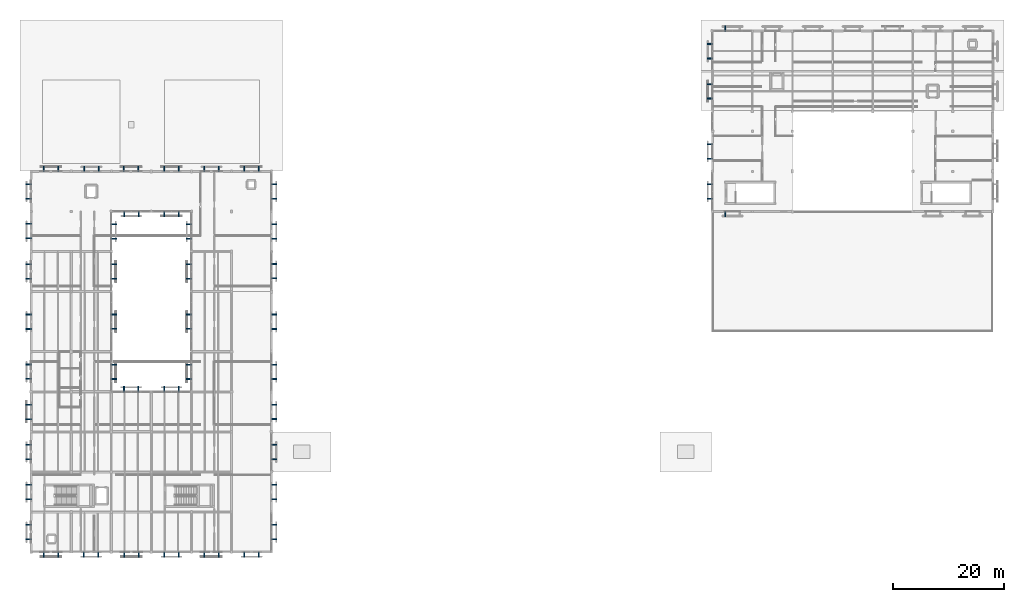
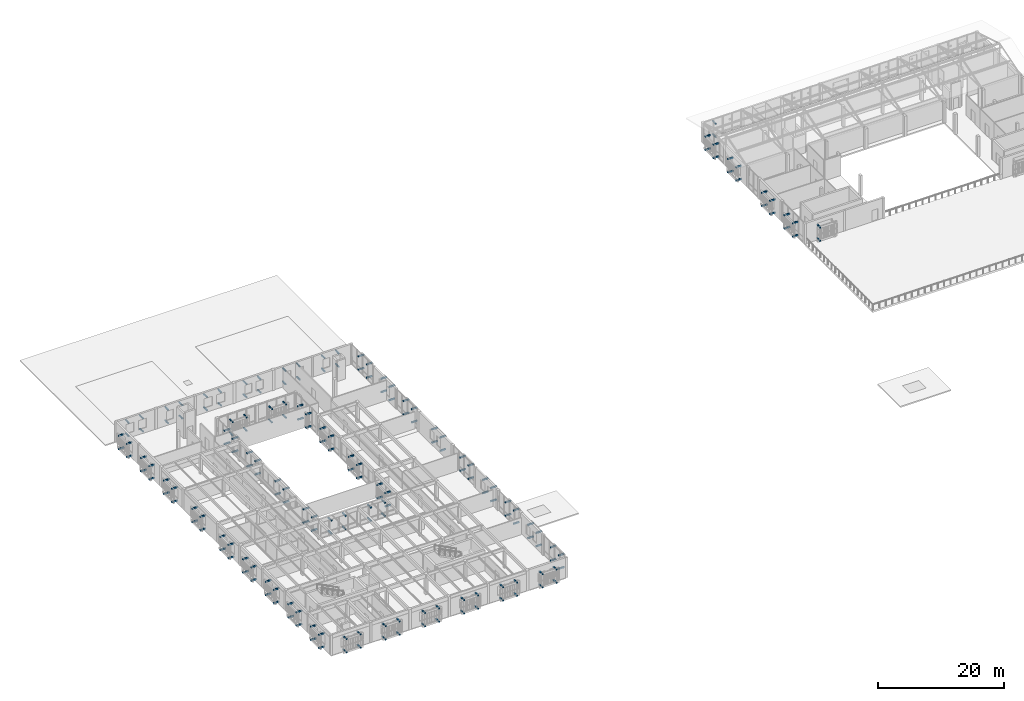
# One storey, part 54 of 61: 188 discrete accessories.
"""IFC4 building model written with IfcOpenShell, lengths in metres."""

from ifc_helpers import new_model, si_unit, direction, frame, origin, origin_2d, place, context, subcontext, project, spatial, rectangle, extrude, material, type_object, element, save


model = new_model("IFC4")

# Units and contexts
model_context = context("Model", 3, precision=1e-05, world=origin(), true_north=direction((0.0, 1.0)))
body_context = subcontext(model_context, "Body", "Model", "MODEL_VIEW")
ifc_project = project(units=[si_unit("LENGTHUNIT", "METRE"), si_unit("AREAUNIT", "SQUARE_METRE"), si_unit("VOLUMEUNIT", "CUBIC_METRE"), si_unit("PLANEANGLEUNIT", "RADIAN"), si_unit("MASSUNIT", "GRAM", prefix="KILO")], contexts=[model_context])

# Site, building, storey
site_placement = place(None, origin())
site = spatial("IfcSite", under=ifc_project, at=site_placement, CompositionType="ELEMENT")
building_placement = place(site_placement, origin())
building = spatial("IfcBuilding", under=site, at=building_placement, Name="Mazaris Harbour Polytechnic", CompositionType="ELEMENT")
storey_placement = place(building_placement, frame((0.0, 0.0, 18.0)))
storey = spatial("IfcBuildingStorey", under=building, at=storey_placement, Name="L04", CompositionType="ELEMENT", Elevation=18.0)

# Discrete accessories
ifc_material = material(Name="Stainless Steel S355", Category="steel")
discrete_accessory_type = type_object("IfcDiscreteAccessoryType", Name="Stainless Screen Outrigger Bracket 200x1020x200", PredefinedType="BRACKET", material=ifc_material)
for number, where, z_axis, x_axis, name in (
    (1, (4.8759765625, 6.760009765625, 0.16015625), (0.0, 0.0, 1.0), (-1.0, 0.0, 0.0), "Screen Outrigger Bracket 1173"),
    (2, (4.8759765625, 6.760009765625, 2.740234375), (0.0, 0.0, 1.0), (-1.0, 0.0, 0.0), "Screen Outrigger Bracket 1174"),
    (3, (2.283935546875, 6.760009765625, 0.16015625), (0.0, 0.0, 1.0), (-1.0, 0.0, 0.0), "Screen Outrigger Bracket 1175"),
    (4, (2.283935546875, 6.760009765625, 2.740234375), (0.0, 0.0, 1.0), (-1.0, 0.0, 0.0), "Screen Outrigger Bracket 1176"),
    (5, (12.075927734375, 6.760009765625, 0.16015625), (0.0, 0.0, 1.0), (-1.0, 0.0, 0.0), "Screen Outrigger Bracket 1177"),
    (6, (12.075927734375, 6.760009765625, 2.740234375), (0.0, 0.0, 1.0), (-1.0, 0.0, 0.0), "Screen Outrigger Bracket 1178"),
    (7, (9.48388671875, 6.760009765625, 0.16015625), (0.0, 0.0, 1.0), (-1.0, 0.0, 0.0), "Screen Outrigger Bracket 1179"),
    (8, (9.48388671875, 6.760009765625, 2.740234375), (0.0, 0.0, 1.0), (-1.0, 0.0, 0.0), "Screen Outrigger Bracket 1180"),
    (9, (19.321044921875, 6.760009765625, 0.16015625), (0.0, 0.0, 1.0), (-1.0, 0.0, 0.0), "Screen Outrigger Bracket 1181"),
    (10, (19.321044921875, 6.760009765625, 2.740234375), (0.0, 0.0, 1.0), (-1.0, 0.0, 0.0), "Screen Outrigger Bracket 1182"),
    (11, (16.72900390625, 6.760009765625, 0.16015625), (0.0, 0.0, 1.0), (-1.0, 0.0, 0.0), "Screen Outrigger Bracket 1183"),
    (12, (16.72900390625, 6.760009765625, 2.740234375), (0.0, 0.0, 1.0), (-1.0, 0.0, 0.0), "Screen Outrigger Bracket 1184"),
    (13, (26.506103515625, 6.760009765625, 0.16015625), (0.0, 0.0, 1.0), (-1.0, 0.0, 0.0), "Screen Outrigger Bracket 1185"),
    (14, (26.506103515625, 6.760009765625, 2.740234375), (0.0, 0.0, 1.0), (-1.0, 0.0, 0.0), "Screen Outrigger Bracket 1186"),
    (15, (23.9140625, 6.760009765625, 0.16015625), (0.0, 0.0, 1.0), (-1.0, 0.0, 0.0), "Screen Outrigger Bracket 1187"),
    (16, (23.9140625, 6.760009765625, 2.740234375), (0.0, 0.0, 1.0), (-1.0, 0.0, 0.0), "Screen Outrigger Bracket 1188"),
    (17, (33.676025390625, 6.760009765625, 0.16015625), (0.0, 0.0, 1.0), (-1.0, 0.0, 0.0), "Screen Outrigger Bracket 1189"),
    (18, (33.676025390625, 6.760009765625, 2.740234375), (0.0, 0.0, 1.0), (-1.0, 0.0, 0.0), "Screen Outrigger Bracket 1190"),
    (19, (31.083984375, 6.760009765625, 0.16015625), (0.0, 0.0, 1.0), (-1.0, 0.0, 0.0), "Screen Outrigger Bracket 1191"),
    (20, (31.083984375, 6.760009765625, 2.740234375), (0.0, 0.0, 1.0), (-1.0, 0.0, 0.0), "Screen Outrigger Bracket 1192"),
    (21, (40.910888671875, 6.760009765625, 0.16015625), (0.0, 0.0, 1.0), (-1.0, 0.0, 0.0), "Screen Outrigger Bracket 1193"),
    (22, (40.910888671875, 6.760009765625, 2.740234375), (0.0, 0.0, 1.0), (-1.0, 0.0, 0.0), "Screen Outrigger Bracket 1194"),
    (23, (38.319091796875, 6.760009765625, 0.16015625), (0.0, 0.0, 1.0), (-1.0, 0.0, 0.0), "Screen Outrigger Bracket 1195"),
    (24, (38.319091796875, 6.760009765625, 2.740234375), (0.0, 0.0, 1.0), (-1.0, 0.0, 0.0), "Screen Outrigger Bracket 1196"),
    (25, (2.283935546875, 76.0400390625, 0.16015625), (0.0, 0.0, 1.0), (1.0, 0.0, 0.0), "Screen Outrigger Bracket 1197"),
    (26, (2.283935546875, 76.0400390625, 2.740234375), (0.0, 0.0, 1.0), (1.0, 0.0, 0.0), "Screen Outrigger Bracket 1198"),
    (27, (4.8759765625, 76.0400390625, 0.16015625), (0.0, 0.0, 1.0), (1.0, 0.0, 0.0), "Screen Outrigger Bracket 1199"),
    (28, (4.8759765625, 76.0400390625, 2.740234375), (0.0, 0.0, 1.0), (1.0, 0.0, 0.0), "Screen Outrigger Bracket 1200"),
    (29, (9.529052734375, 76.0400390625, 0.16015625), (0.0, 0.0, 1.0), (1.0, 0.0, 0.0), "Screen Outrigger Bracket 1201"),
    (30, (9.529052734375, 76.0400390625, 2.740234375), (0.0, 0.0, 1.0), (1.0, 0.0, 0.0), "Screen Outrigger Bracket 1202"),
    (31, (12.12109375, 76.0400390625, 0.16015625), (0.0, 0.0, 1.0), (1.0, 0.0, 0.0), "Screen Outrigger Bracket 1203"),
    (32, (12.12109375, 76.0400390625, 2.740234375), (0.0, 0.0, 1.0), (1.0, 0.0, 0.0), "Screen Outrigger Bracket 1204"),
    (33, (16.6689453125, 76.0400390625, 0.16015625), (0.0, 0.0, 1.0), (1.0, 0.0, 0.0), "Screen Outrigger Bracket 1205"),
    (34, (16.6689453125, 76.0400390625, 2.740234375), (0.0, 0.0, 1.0), (1.0, 0.0, 0.0), "Screen Outrigger Bracket 1206"),
    (35, (19.260986328125, 76.0400390625, 0.16015625), (0.0, 0.0, 1.0), (1.0, 0.0, 0.0), "Screen Outrigger Bracket 1207"),
    (36, (19.260986328125, 76.0400390625, 2.740234375), (0.0, 0.0, 1.0), (1.0, 0.0, 0.0), "Screen Outrigger Bracket 1208"),
    (37, (23.928955078125, 76.0400390625, 0.16015625), (0.0, 0.0, 1.0), (1.0, 0.0, 0.0), "Screen Outrigger Bracket 1209"),
    (38, (23.928955078125, 76.0400390625, 2.740234375), (0.0, 0.0, 1.0), (1.0, 0.0, 0.0), "Screen Outrigger Bracket 1210"),
    (39, (26.52099609375, 76.0400390625, 0.16015625), (0.0, 0.0, 1.0), (1.0, 0.0, 0.0), "Screen Outrigger Bracket 1211"),
    (40, (26.52099609375, 76.0400390625, 2.740234375), (0.0, 0.0, 1.0), (1.0, 0.0, 0.0), "Screen Outrigger Bracket 1212"),
    (41, (31.118896484375, 76.0400390625, 0.16015625), (0.0, 0.0, 1.0), (1.0, 0.0, 0.0), "Screen Outrigger Bracket 1213"),
    (42, (31.118896484375, 76.0400390625, 2.740234375), (0.0, 0.0, 1.0), (1.0, 0.0, 0.0), "Screen Outrigger Bracket 1214"),
    (43, (33.7109375, 76.0400390625, 0.16015625), (0.0, 0.0, 1.0), (1.0, 0.0, 0.0), "Screen Outrigger Bracket 1215"),
    (44, (33.7109375, 76.0400390625, 2.740234375), (0.0, 0.0, 1.0), (1.0, 0.0, 0.0), "Screen Outrigger Bracket 1216"),
    (45, (38.283935546875, 76.0400390625, 0.16015625), (0.0, 0.0, 1.0), (1.0, 0.0, 0.0), "Screen Outrigger Bracket 1217"),
    (46, (38.283935546875, 76.0400390625, 2.740234375), (0.0, 0.0, 1.0), (1.0, 0.0, 0.0), "Screen Outrigger Bracket 1218"),
    (47, (40.8759765625, 76.0400390625, 0.16015625), (0.0, 0.0, 1.0), (1.0, 0.0, 0.0), "Screen Outrigger Bracket 1219"),
    (48, (40.8759765625, 76.0400390625, 2.740234375), (0.0, 0.0, 1.0), (1.0, 0.0, 0.0), "Screen Outrigger Bracket 1220"),
    (49, (-0.43994140625, 9.493896484375, 0.16015625), (0.0, 0.0, 1.0), (0.0, 1.0, 0.0), "Screen Outrigger Bracket 1221"),
    (50, (-0.43994140625, 9.493896484375, 2.740234375), (0.0, 0.0, 1.0), (0.0, 1.0, 0.0), "Screen Outrigger Bracket 1222"),
    (51, (-0.43994140625, 12.0859375, 0.16015625), (0.0, 0.0, 1.0), (0.0, 1.0, 0.0), "Screen Outrigger Bracket 1223"),
    (52, (-0.43994140625, 12.0859375, 2.740234375), (0.0, 0.0, 1.0), (0.0, 1.0, 0.0), "Screen Outrigger Bracket 1224"),
    (53, (-0.43994140625, 16.694091796875, 0.16015625), (0.0, 0.0, 1.0), (0.0, 1.0, 0.0), "Screen Outrigger Bracket 1225"),
    (54, (-0.43994140625, 16.694091796875, 2.740234375), (0.0, 0.0, 1.0), (0.0, 1.0, 0.0), "Screen Outrigger Bracket 1226"),
    (55, (-0.43994140625, 19.285888671875, 0.16015625), (0.0, 0.0, 1.0), (0.0, 1.0, 0.0), "Screen Outrigger Bracket 1227"),
    (56, (-0.43994140625, 19.285888671875, 2.740234375), (0.0, 0.0, 1.0), (0.0, 1.0, 0.0), "Screen Outrigger Bracket 1228"),
    (57, (-0.43994140625, 23.89404296875, 0.16015625), (0.0, 0.0, 1.0), (0.0, 1.0, 0.0), "Screen Outrigger Bracket 1229"),
    (58, (-0.43994140625, 23.89404296875, 2.740234375), (0.0, 0.0, 1.0), (0.0, 1.0, 0.0), "Screen Outrigger Bracket 1230"),
    (59, (-0.43994140625, 26.486083984375, 0.16015625), (0.0, 0.0, 1.0), (0.0, 1.0, 0.0), "Screen Outrigger Bracket 1231"),
    (60, (-0.43994140625, 26.486083984375, 2.740234375), (0.0, 0.0, 1.0), (0.0, 1.0, 0.0), "Screen Outrigger Bracket 1232"),
    (61, (-0.43994140625, 31.093994140625, 0.16015625), (0.0, 0.0, 1.0), (0.0, 1.0, 0.0), "Screen Outrigger Bracket 1233"),
    (62, (-0.43994140625, 31.093994140625, 2.740234375), (0.0, 0.0, 1.0), (0.0, 1.0, 0.0), "Screen Outrigger Bracket 1234"),
    (63, (-0.43994140625, 33.68603515625, 0.16015625), (0.0, 0.0, 1.0), (0.0, 1.0, 0.0), "Screen Outrigger Bracket 1235"),
    (64, (-0.43994140625, 33.68603515625, 2.740234375), (0.0, 0.0, 1.0), (0.0, 1.0, 0.0), "Screen Outrigger Bracket 1236"),
    (65, (-0.43994140625, 38.30908203125, 0.16015625), (0.0, 0.0, 1.0), (0.0, 1.0, 0.0), "Screen Outrigger Bracket 1237"),
    (66, (-0.43994140625, 38.30908203125, 2.740234375), (0.0, 0.0, 1.0), (0.0, 1.0, 0.0), "Screen Outrigger Bracket 1238"),
    (67, (-0.43994140625, 40.90087890625, 0.16015625), (0.0, 0.0, 1.0), (0.0, 1.0, 0.0), "Screen Outrigger Bracket 1239"),
    (68, (-0.43994140625, 40.90087890625, 2.740234375), (0.0, 0.0, 1.0), (0.0, 1.0, 0.0), "Screen Outrigger Bracket 1240"),
    (69, (-0.43994140625, 47.2890625, 0.16015625), (0.0, 0.0, 1.0), (0.0, 1.0, 0.0), "Screen Outrigger Bracket 1241"),
    (70, (-0.43994140625, 47.2890625, 2.740234375), (0.0, 0.0, 1.0), (0.0, 1.0, 0.0), "Screen Outrigger Bracket 1242"),
    (71, (-0.43994140625, 49.881103515625, 0.16015625), (0.0, 0.0, 1.0), (0.0, 1.0, 0.0), "Screen Outrigger Bracket 1243"),
    (72, (-0.43994140625, 49.881103515625, 2.740234375), (0.0, 0.0, 1.0), (0.0, 1.0, 0.0), "Screen Outrigger Bracket 1244"),
    (73, (-0.43994140625, 56.2890625, 0.16015625), (0.0, 0.0, 1.0), (0.0, 1.0, 0.0), "Screen Outrigger Bracket 1245"),
    (74, (-0.43994140625, 56.2890625, 2.740234375), (0.0, 0.0, 1.0), (0.0, 1.0, 0.0), "Screen Outrigger Bracket 1246"),
    (75, (-0.43994140625, 58.881103515625, 0.16015625), (0.0, 0.0, 1.0), (0.0, 1.0, 0.0), "Screen Outrigger Bracket 1247"),
    (76, (-0.43994140625, 58.881103515625, 2.740234375), (0.0, 0.0, 1.0), (0.0, 1.0, 0.0), "Screen Outrigger Bracket 1248"),
    (77, (-0.43994140625, 63.569091796875, 0.16015625), (0.0, 0.0, 1.0), (0.0, 1.0, 0.0), "Screen Outrigger Bracket 1249"),
    (78, (-0.43994140625, 63.569091796875, 2.740234375), (0.0, 0.0, 1.0), (0.0, 1.0, 0.0), "Screen Outrigger Bracket 1250"),
    (79, (-0.43994140625, 66.160888671875, 0.16015625), (0.0, 0.0, 1.0), (0.0, 1.0, 0.0), "Screen Outrigger Bracket 1251"),
    (80, (-0.43994140625, 66.160888671875, 2.740234375), (0.0, 0.0, 1.0), (0.0, 1.0, 0.0), "Screen Outrigger Bracket 1252"),
    (81, (-0.43994140625, 70.694091796875, 0.16015625), (0.0, 0.0, 1.0), (0.0, 1.0, 0.0), "Screen Outrigger Bracket 1253"),
    (82, (-0.43994140625, 70.694091796875, 2.740234375), (0.0, 0.0, 1.0), (0.0, 1.0, 0.0), "Screen Outrigger Bracket 1254"),
    (83, (-0.43994140625, 73.285888671875, 0.16015625), (0.0, 0.0, 1.0), (0.0, 1.0, 0.0), "Screen Outrigger Bracket 1255"),
    (84, (-0.43994140625, 73.285888671875, 2.740234375), (0.0, 0.0, 1.0), (0.0, 1.0, 0.0), "Screen Outrigger Bracket 1256"),
    (85, (43.639892578125, 12.0859375, 0.16015625), (0.0, 0.0, 1.0), (0.0, -1.0, 0.0), "Screen Outrigger Bracket 1257"),
    (86, (43.639892578125, 12.0859375, 2.740234375), (0.0, 0.0, 1.0), (0.0, -1.0, 0.0), "Screen Outrigger Bracket 1258"),
    (87, (43.639892578125, 9.493896484375, 0.16015625), (0.0, 0.0, 1.0), (0.0, -1.0, 0.0), "Screen Outrigger Bracket 1259"),
    (88, (43.639892578125, 9.493896484375, 2.740234375), (0.0, 0.0, 1.0), (0.0, -1.0, 0.0), "Screen Outrigger Bracket 1260"),
    (89, (43.639892578125, 19.285888671875, 0.16015625), (0.0, 0.0, 1.0), (0.0, -1.0, 0.0), "Screen Outrigger Bracket 1261"),
    (90, (43.639892578125, 19.285888671875, 2.740234375), (0.0, 0.0, 1.0), (0.0, -1.0, 0.0), "Screen Outrigger Bracket 1262"),
    (91, (43.639892578125, 16.694091796875, 0.16015625), (0.0, 0.0, 1.0), (0.0, -1.0, 0.0), "Screen Outrigger Bracket 1263"),
    (92, (43.639892578125, 16.694091796875, 2.740234375), (0.0, 0.0, 1.0), (0.0, -1.0, 0.0), "Screen Outrigger Bracket 1264"),
    (93, (43.639892578125, 26.486083984375, 0.16015625), (0.0, 0.0, 1.0), (0.0, -1.0, 0.0), "Screen Outrigger Bracket 1265"),
    (94, (43.639892578125, 26.486083984375, 2.740234375), (0.0, 0.0, 1.0), (0.0, -1.0, 0.0), "Screen Outrigger Bracket 1266"),
    (95, (43.639892578125, 23.89404296875, 0.16015625), (0.0, 0.0, 1.0), (0.0, -1.0, 0.0), "Screen Outrigger Bracket 1267"),
    (96, (43.639892578125, 23.89404296875, 2.740234375), (0.0, 0.0, 1.0), (0.0, -1.0, 0.0), "Screen Outrigger Bracket 1268"),
    (97, (43.639892578125, 33.700927734375, 0.16015625), (0.0, 0.0, 1.0), (0.0, -1.0, 0.0), "Screen Outrigger Bracket 1269"),
    (98, (43.639892578125, 33.700927734375, 2.740234375), (0.0, 0.0, 1.0), (0.0, -1.0, 0.0), "Screen Outrigger Bracket 1270"),
    (99, (43.639892578125, 31.10888671875, 0.16015625), (0.0, 0.0, 1.0), (0.0, -1.0, 0.0), "Screen Outrigger Bracket 1271"),
    (100, (43.639892578125, 31.10888671875, 2.740234375), (0.0, 0.0, 1.0), (0.0, -1.0, 0.0), "Screen Outrigger Bracket 1272"),
    (101, (43.639892578125, 40.881103515625, 0.16015625), (0.0, 0.0, 1.0), (0.0, -1.0, 0.0), "Screen Outrigger Bracket 1273"),
    (102, (43.639892578125, 40.881103515625, 2.740234375), (0.0, 0.0, 1.0), (0.0, -1.0, 0.0), "Screen Outrigger Bracket 1274"),
    (103, (43.639892578125, 38.2890625, 0.16015625), (0.0, 0.0, 1.0), (0.0, -1.0, 0.0), "Screen Outrigger Bracket 1275"),
    (104, (43.639892578125, 38.2890625, 2.740234375), (0.0, 0.0, 1.0), (0.0, -1.0, 0.0), "Screen Outrigger Bracket 1276"),
    (105, (43.639892578125, 49.881103515625, 0.16015625), (0.0, 0.0, 1.0), (0.0, -1.0, 0.0), "Screen Outrigger Bracket 1277"),
    (106, (43.639892578125, 49.881103515625, 2.740234375), (0.0, 0.0, 1.0), (0.0, -1.0, 0.0), "Screen Outrigger Bracket 1278"),
    (107, (43.639892578125, 47.2890625, 0.16015625), (0.0, 0.0, 1.0), (0.0, -1.0, 0.0), "Screen Outrigger Bracket 1279"),
    (108, (43.639892578125, 47.2890625, 2.740234375), (0.0, 0.0, 1.0), (0.0, -1.0, 0.0), "Screen Outrigger Bracket 1280"),
    (109, (43.639892578125, 58.9609375, 0.16015625), (0.0, 0.0, 1.0), (0.0, -1.0, 0.0), "Screen Outrigger Bracket 1281"),
    (110, (43.639892578125, 58.9609375, 2.740234375), (0.0, 0.0, 1.0), (0.0, -1.0, 0.0), "Screen Outrigger Bracket 1282"),
    (111, (43.639892578125, 56.368896484375, 0.16015625), (0.0, 0.0, 1.0), (0.0, -1.0, 0.0), "Screen Outrigger Bracket 1283"),
    (112, (43.639892578125, 56.368896484375, 2.740234375), (0.0, 0.0, 1.0), (0.0, -1.0, 0.0), "Screen Outrigger Bracket 1284"),
    (113, (43.639892578125, 66.0859375, 0.16015625), (0.0, 0.0, 1.0), (0.0, -1.0, 0.0), "Screen Outrigger Bracket 1285"),
    (114, (43.639892578125, 66.0859375, 2.740234375), (0.0, 0.0, 1.0), (0.0, -1.0, 0.0), "Screen Outrigger Bracket 1286"),
    (115, (43.639892578125, 63.493896484375, 0.16015625), (0.0, 0.0, 1.0), (0.0, -1.0, 0.0), "Screen Outrigger Bracket 1287"),
    (116, (43.639892578125, 63.493896484375, 2.740234375), (0.0, 0.0, 1.0), (0.0, -1.0, 0.0), "Screen Outrigger Bracket 1288"),
    (117, (43.639892578125, 73.285888671875, 0.16015625), (0.0, 0.0, 1.0), (0.0, -1.0, 0.0), "Screen Outrigger Bracket 1289"),
    (118, (43.639892578125, 73.285888671875, 2.740234375), (0.0, 0.0, 1.0), (0.0, -1.0, 0.0), "Screen Outrigger Bracket 1290"),
    (119, (43.639892578125, 70.694091796875, 0.16015625), (0.0, 0.0, 1.0), (0.0, -1.0, 0.0), "Screen Outrigger Bracket 1291"),
    (120, (43.639892578125, 70.694091796875, 2.740234375), (0.0, 0.0, 1.0), (0.0, -1.0, 0.0), "Screen Outrigger Bracket 1292"),
    (121, (16.68408203125, 36.43994140625, 0.16015625), (0.0, 0.0, 1.0), (1.0, 0.0, 0.0), "Screen Outrigger Bracket 1293"),
    (122, (16.68408203125, 36.43994140625, 2.740234375), (0.0, 0.0, 1.0), (1.0, 0.0, 0.0), "Screen Outrigger Bracket 1294"),
    (123, (19.27587890625, 36.43994140625, 0.16015625), (0.0, 0.0, 1.0), (1.0, 0.0, 0.0), "Screen Outrigger Bracket 1295"),
    (124, (19.27587890625, 36.43994140625, 2.740234375), (0.0, 0.0, 1.0), (1.0, 0.0, 0.0), "Screen Outrigger Bracket 1296"),
    (125, (23.9140625, 36.43994140625, 0.16015625), (0.0, 0.0, 1.0), (1.0, 0.0, 0.0), "Screen Outrigger Bracket 1297"),
    (126, (23.9140625, 36.43994140625, 2.740234375), (0.0, 0.0, 1.0), (1.0, 0.0, 0.0), "Screen Outrigger Bracket 1298"),
    (127, (26.506103515625, 36.43994140625, 0.16015625), (0.0, 0.0, 1.0), (1.0, 0.0, 0.0), "Screen Outrigger Bracket 1299"),
    (128, (26.506103515625, 36.43994140625, 2.740234375), (0.0, 0.0, 1.0), (1.0, 0.0, 0.0), "Screen Outrigger Bracket 1300"),
    (129, (19.305908203125, 67.9599609375, 0.16015625), (0.0, 0.0, 1.0), (-1.0, 0.0, 0.0), "Screen Outrigger Bracket 1301"),
    (130, (19.305908203125, 67.9599609375, 2.740234375), (0.0, 0.0, 1.0), (-1.0, 0.0, 0.0), "Screen Outrigger Bracket 1302"),
    (131, (16.714111328125, 67.9599609375, 0.16015625), (0.0, 0.0, 1.0), (-1.0, 0.0, 0.0), "Screen Outrigger Bracket 1303"),
    (132, (16.714111328125, 67.9599609375, 2.740234375), (0.0, 0.0, 1.0), (-1.0, 0.0, 0.0), "Screen Outrigger Bracket 1304"),
    (133, (26.52099609375, 67.9599609375, 0.16015625), (0.0, 0.0, 1.0), (-1.0, 0.0, 0.0), "Screen Outrigger Bracket 1305"),
    (134, (26.52099609375, 67.9599609375, 2.740234375), (0.0, 0.0, 1.0), (-1.0, 0.0, 0.0), "Screen Outrigger Bracket 1306"),
    (135, (23.928955078125, 67.9599609375, 0.16015625), (0.0, 0.0, 1.0), (-1.0, 0.0, 0.0), "Screen Outrigger Bracket 1307"),
    (136, (23.928955078125, 67.9599609375, 2.740234375), (0.0, 0.0, 1.0), (-1.0, 0.0, 0.0), "Screen Outrigger Bracket 1308"),
    (137, (14.840087890625, 38.2939453125, 0.16015625), (0.0, 0.0, 1.0), (0.0, 1.0, 0.0), "Screen Outrigger Bracket 1309"),
    (138, (14.840087890625, 38.2939453125, 2.740234375), (0.0, 0.0, 1.0), (0.0, 1.0, 0.0), "Screen Outrigger Bracket 1310"),
    (139, (14.840087890625, 40.885986328125, 0.16015625), (0.0, 0.0, 1.0), (0.0, 1.0, 0.0), "Screen Outrigger Bracket 1311"),
    (140, (14.840087890625, 40.885986328125, 2.740234375), (0.0, 0.0, 1.0), (0.0, 1.0, 0.0), "Screen Outrigger Bracket 1312"),
    (141, (14.840087890625, 47.2939453125, 0.16015625), (0.0, 0.0, 1.0), (0.0, 1.0, 0.0), "Screen Outrigger Bracket 1313"),
    (142, (14.840087890625, 47.2939453125, 2.740234375), (0.0, 0.0, 1.0), (0.0, 1.0, 0.0), "Screen Outrigger Bracket 1314"),
    (143, (14.840087890625, 49.885986328125, 0.16015625), (0.0, 0.0, 1.0), (0.0, 1.0, 0.0), "Screen Outrigger Bracket 1315"),
    (144, (14.840087890625, 49.885986328125, 2.740234375), (0.0, 0.0, 1.0), (0.0, 1.0, 0.0), "Screen Outrigger Bracket 1316"),
    (145, (14.840087890625, 56.2939453125, 0.16015625), (0.0, 0.0, 1.0), (0.0, 1.0, 0.0), "Screen Outrigger Bracket 1317"),
    (146, (14.840087890625, 56.2939453125, 2.740234375), (0.0, 0.0, 1.0), (0.0, 1.0, 0.0), "Screen Outrigger Bracket 1318"),
    (147, (14.840087890625, 58.885986328125, 0.16015625), (0.0, 0.0, 1.0), (0.0, 1.0, 0.0), "Screen Outrigger Bracket 1319"),
    (148, (14.840087890625, 58.885986328125, 2.740234375), (0.0, 0.0, 1.0), (0.0, 1.0, 0.0), "Screen Outrigger Bracket 1320"),
    (149, (14.840087890625, 63.493896484375, 0.16015625), (0.0, 0.0, 1.0), (0.0, 1.0, 0.0), "Screen Outrigger Bracket 1321"),
    (150, (14.840087890625, 63.493896484375, 2.740234375), (0.0, 0.0, 1.0), (0.0, 1.0, 0.0), "Screen Outrigger Bracket 1322"),
    (151, (14.840087890625, 66.0859375, 0.16015625), (0.0, 0.0, 1.0), (0.0, 1.0, 0.0), "Screen Outrigger Bracket 1323"),
    (152, (14.840087890625, 66.0859375, 2.740234375), (0.0, 0.0, 1.0), (0.0, 1.0, 0.0), "Screen Outrigger Bracket 1324"),
    (153, (28.360107421875, 40.885986328125, 0.16015625), (0.0, 0.0, 1.0), (0.0, -1.0, 0.0), "Screen Outrigger Bracket 1325"),
    (154, (28.360107421875, 40.885986328125, 2.740234375), (0.0, 0.0, 1.0), (0.0, -1.0, 0.0), "Screen Outrigger Bracket 1326"),
    (155, (28.360107421875, 38.2939453125, 0.16015625), (0.0, 0.0, 1.0), (0.0, -1.0, 0.0), "Screen Outrigger Bracket 1327"),
    (156, (28.360107421875, 38.2939453125, 2.740234375), (0.0, 0.0, 1.0), (0.0, -1.0, 0.0), "Screen Outrigger Bracket 1328"),
    (157, (28.360107421875, 49.885986328125, 0.16015625), (0.0, 0.0, 1.0), (0.0, -1.0, 0.0), "Screen Outrigger Bracket 1329"),
    (158, (28.360107421875, 49.885986328125, 2.740234375), (0.0, 0.0, 1.0), (0.0, -1.0, 0.0), "Screen Outrigger Bracket 1330"),
    (159, (28.360107421875, 47.2939453125, 0.16015625), (0.0, 0.0, 1.0), (0.0, -1.0, 0.0), "Screen Outrigger Bracket 1331"),
    (160, (28.360107421875, 47.2939453125, 2.740234375), (0.0, 0.0, 1.0), (0.0, -1.0, 0.0), "Screen Outrigger Bracket 1332"),
    (161, (28.360107421875, 58.885986328125, 0.16015625), (0.0, 0.0, 1.0), (0.0, -1.0, 0.0), "Screen Outrigger Bracket 1333"),
    (162, (28.360107421875, 58.885986328125, 2.740234375), (0.0, 0.0, 1.0), (0.0, -1.0, 0.0), "Screen Outrigger Bracket 1334"),
    (163, (28.360107421875, 56.2939453125, 0.16015625), (0.0, 0.0, 1.0), (0.0, -1.0, 0.0), "Screen Outrigger Bracket 1335"),
    (164, (28.360107421875, 56.2939453125, 2.740234375), (0.0, 0.0, 1.0), (0.0, -1.0, 0.0), "Screen Outrigger Bracket 1336"),
    (165, (28.360107421875, 66.10107421875, 0.16015625), (0.0, 0.0, 1.0), (0.0, -1.0, 0.0), "Screen Outrigger Bracket 1337"),
    (166, (28.360107421875, 66.10107421875, 2.740234375), (0.0, 0.0, 1.0), (0.0, -1.0, 0.0), "Screen Outrigger Bracket 1338"),
    (167, (28.360107421875, 63.509033203125, 0.16015625), (0.0, 0.0, 1.0), (0.0, -1.0, 0.0), "Screen Outrigger Bracket 1339"),
    (168, (28.360107421875, 63.509033203125, 2.740234375), (0.0, 0.0, 1.0), (0.0, -1.0, 0.0), "Screen Outrigger Bracket 1340"),
    (169, (124.72412109375, 67.9599609375, 0.16015625), (0.0, 0.0, 1.0), (-1.0, 0.0, 0.0), "Screen Outrigger Bracket 1939"),
    (170, (124.72412109375, 67.9599609375, 2.740234375), (0.0, 0.0, 1.0), (-1.0, 0.0, 0.0), "Screen Outrigger Bracket 1940"),
    (171, (124.72412109375, 101.239990234375, 0.16015625), (0.0, 0.0, 1.0), (1.0, 0.0, 0.0), "Screen Outrigger Bracket 1949"),
    (172, (124.72412109375, 101.239990234375, 2.740234375), (0.0, 0.0, 1.0), (1.0, 0.0, 0.0), "Screen Outrigger Bracket 1950"),
    (173, (121.9599609375, 70.694091796875, 0.16015625), (0.0, 0.0, 1.0), (0.0, 1.0, 0.0), "Screen Outrigger Bracket 1977"),
    (174, (121.9599609375, 70.694091796875, 2.740234375), (0.0, 0.0, 1.0), (0.0, 1.0, 0.0), "Screen Outrigger Bracket 1978"),
    (175, (121.9599609375, 73.285888671875, 0.16015625), (0.0, 0.0, 1.0), (0.0, 1.0, 0.0), "Screen Outrigger Bracket 1979"),
    (176, (121.9599609375, 73.285888671875, 2.740234375), (0.0, 0.0, 1.0), (0.0, 1.0, 0.0), "Screen Outrigger Bracket 1980"),
    (177, (121.9599609375, 77.89404296875, 0.16015625), (0.0, 0.0, 1.0), (0.0, 1.0, 0.0), "Screen Outrigger Bracket 1981"),
    (178, (121.9599609375, 77.89404296875, 2.740234375), (0.0, 0.0, 1.0), (0.0, 1.0, 0.0), "Screen Outrigger Bracket 1982"),
    (179, (121.9599609375, 80.486083984375, 0.16015625), (0.0, 0.0, 1.0), (0.0, 1.0, 0.0), "Screen Outrigger Bracket 1983"),
    (180, (121.9599609375, 80.486083984375, 2.740234375), (0.0, 0.0, 1.0), (0.0, 1.0, 0.0), "Screen Outrigger Bracket 1984"),
    (181, (121.9599609375, 88.68896484375, 0.16015625), (0.0, 0.0, 1.0), (0.0, 1.0, 0.0), "Screen Outrigger Bracket 1985"),
    (182, (121.9599609375, 88.68896484375, 2.740234375), (0.0, 0.0, 1.0), (0.0, 1.0, 0.0), "Screen Outrigger Bracket 1986"),
    (183, (121.9599609375, 91.281005859375, 0.16015625), (0.0, 0.0, 1.0), (0.0, 1.0, 0.0), "Screen Outrigger Bracket 1987"),
    (184, (121.9599609375, 91.281005859375, 2.740234375), (0.0, 0.0, 1.0), (0.0, 1.0, 0.0), "Screen Outrigger Bracket 1988"),
    (185, (121.9599609375, 95.888916015625, 0.16015625), (0.0, 0.0, 1.0), (0.0, 1.0, 0.0), "Screen Outrigger Bracket 1989"),
    (186, (121.9599609375, 95.888916015625, 2.740234375), (0.0, 0.0, 1.0), (0.0, 1.0, 0.0), "Screen Outrigger Bracket 1990"),
    (187, (121.9599609375, 98.48095703125, 0.16015625), (0.0, 0.0, 1.0), (0.0, 1.0, 0.0), "Screen Outrigger Bracket 1991"),
    (188, (121.9599609375, 98.48095703125, 2.740234375), (0.0, 0.0, 1.0), (0.0, 1.0, 0.0), "Screen Outrigger Bracket 1992"),
):
    element("IfcDiscreteAccessory", number, at=place(storey_placement, frame(where, z_axis=z_axis, x_axis=x_axis)), inside=storey, type_object=discrete_accessory_type, Name=name, PredefinedType="BRACKET", context=body_context, shape_type="SweptSolid", body=[
        extrude(rectangle(XDim=0.199951171875, YDim=1.02001953125, at=origin_2d()), origin(), (0.0, 0.0, 1.0), 0.199951171875),
    ])

save(model, "model.ifc")
